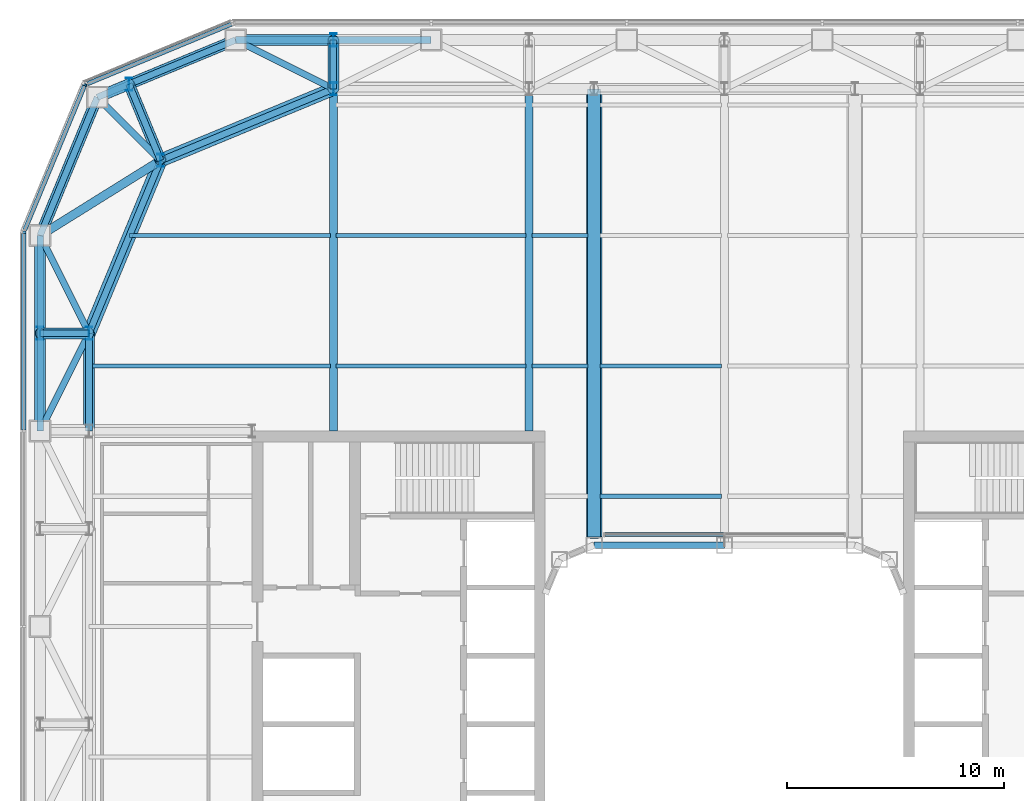
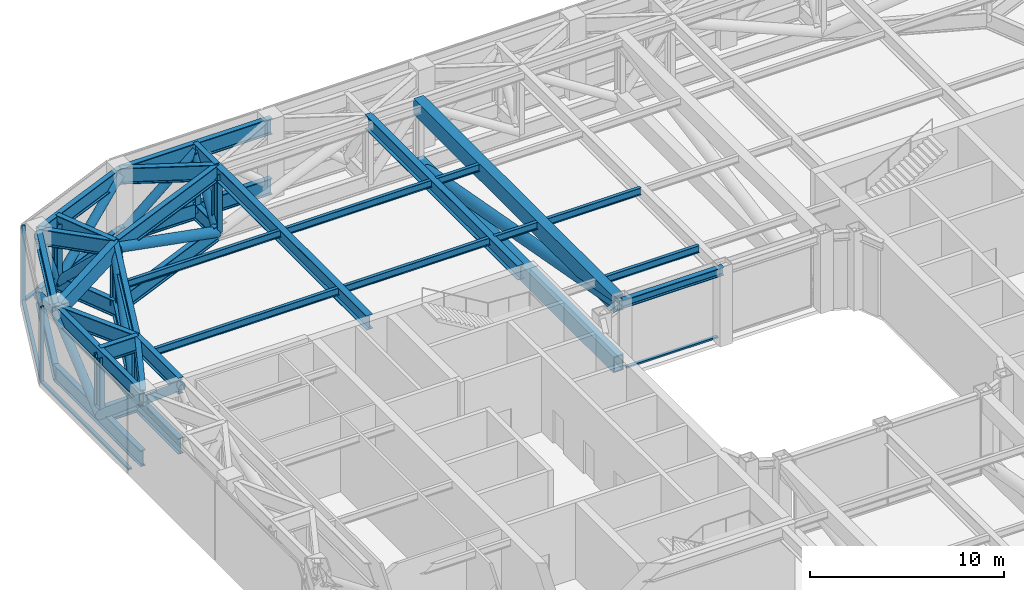
# One storey, part 9 of 33: 38 beams, 25 members, 4 elements without a shape of their own.
"""IFC4 building model written with IfcOpenShell, lengths in metres."""

from ifc_helpers import new_model, si_unit, direction, frame, origin, origin_2d, place, context, subcontext, project, spatial, rectangle, hollow_rectangle, hollow_circle, i_section, extrude, material, layer, layer_set, material_profile, profile_set, type_object, element, aggregate, save


model = new_model("IFC4")

# Units and contexts
model_context = context("Model", 3, precision=1e-05, world=origin(), true_north=direction((0.0, 1.0)))
body_context = subcontext(model_context, "Body", "Model", "MODEL_VIEW")
ifc_project = project(units=[si_unit("LENGTHUNIT", "METRE"), si_unit("AREAUNIT", "SQUARE_METRE"), si_unit("VOLUMEUNIT", "CUBIC_METRE"), si_unit("PLANEANGLEUNIT", "RADIAN"), si_unit("MASSUNIT", "GRAM", prefix="KILO")], contexts=[model_context])

# Site, building, storey
site_placement = place(None, origin())
site = spatial("IfcSite", under=ifc_project, at=site_placement, CompositionType="ELEMENT")
building_placement = place(site_placement, origin())
building = spatial("IfcBuilding", under=site, at=building_placement, Name="Siwar Civic Tower", CompositionType="ELEMENT")
storey_placement = place(building_placement, frame((0.0, 0.0, 94.199951171875)))
storey = spatial("IfcBuildingStorey", under=building, at=storey_placement, Name="L20", CompositionType="ELEMENT", Elevation=94.199951171875)

# Curtain wall, member
ifc_material_1 = material(Name="Aluminium and glass", Category="aluminium")
ifc_layer_1 = layer(ifc_material_1, 0.199951171875)
ifc_layer_set_1 = layer_set([ifc_layer_1], Name="Aluminium and glass")
curtain_wall_type_1 = type_object("IfcCurtainWallType", Name="ENV-CW-P", PredefinedType="NOTDEFINED", material=ifc_layer_set_1)
curtain_wall_1_placement = place(storey_placement, origin())
curtain_wall_1 = element("IfcCurtainWall", 1, at=curtain_wall_1_placement, inside=storey, type_object=curtain_wall_type_1, Name="Curtain wall P NW2", PredefinedType="NOTDEFINED")
ifc_material_2 = material(Name="Aluminium 6063-T6", Category="aluminium")
ifc_material_profile_1 = material_profile(ifc_material_2, rectangle(XDim=0.199951171875, YDim=0.10009765625, at=origin_2d()), Name="AL 200x100")
ifc_profile_set_1 = profile_set([ifc_material_profile_1], Name="Aluminium 6063-T6")
member_type_1 = type_object("IfcMemberType", Name="ENV-MULLION-P", PredefinedType="MULLION", material=ifc_profile_set_1)
member_1_placement = place(storey_placement, frame((-29.43798828125, 29.43798828125, 0.0), z_axis=(0.0, 0.0, 1.0), x_axis=(0.923879532511, -0.382683432365, 0.0)))
member_1 = element("IfcMember", 2, at=member_1_placement, type_object=member_type_1, Name="Mullion P NW2 1", PredefinedType="MULLION", context=body_context, shape_type="SweptSolid", body=[
    extrude(rectangle(XDim=0.199951171875, YDim=0.10009765625, at=origin_2d()), origin(), (0.0, 0.0, 1.0), 4.800048828125),
])

curtain_wall_2_placement = place(storey_placement, origin())
curtain_wall_2 = element("IfcCurtainWall", 3, at=curtain_wall_2_placement, inside=storey, type_object=curtain_wall_type_1, Name="Curtain wall P W", PredefinedType="NOTDEFINED")
member_2_placement = place(storey_placement, frame((-32.25, 22.649169921875, 0.0), z_axis=(0.0, 0.0, 1.0), x_axis=(1.0, 0.0, 0.0)))
member_2 = element("IfcMember", 4, at=member_2_placement, type_object=member_type_1, Name="Mullion P W 1", PredefinedType="MULLION", context=body_context, shape_type="SweptSolid", body=[
    extrude(rectangle(XDim=0.199951171875, YDim=0.10009765625, at=origin_2d()), origin(), (0.0, 0.0, 1.0), 4.800048828125),
])

curtain_wall_3_placement = place(storey_placement, origin())
curtain_wall_3 = element("IfcCurtainWall", 5, at=curtain_wall_3_placement, inside=storey, type_object=curtain_wall_type_1, Name="Curtain wall P NW1", PredefinedType="NOTDEFINED")
ifc_material_3 = material(Name="Aluminium 6063-T6", Category="aluminium")
ifc_material_profile_2 = material_profile(ifc_material_3, rectangle(XDim=0.199951171875, YDim=0.1201171875, at=origin_2d()), Name="AL 200x120")
ifc_profile_set_2 = profile_set([ifc_material_profile_2], Name="Aluminium 6063-T6")
member_type_2 = type_object("IfcMemberType", Name="ENV-TRANSOM-P", PredefinedType="USERDEFINED", material=ifc_profile_set_2)
member_3_placement = place(storey_placement, frame((-22.6953125, 32.23095703125, 0.06005859375), z_axis=(-0.923881582012, -0.382678484395, 0.0), x_axis=(0.382678484395, -0.923881582012, 0.0)))
member_3 = element("IfcMember", 6, at=member_3_placement, type_object=member_type_2, Name="Transom P NW1 1", ObjectType="TRANSOM", PredefinedType="USERDEFINED", context=body_context, shape_type="SweptSolid", body=[
    extrude(rectangle(XDim=0.199951171875, YDim=0.1201171875, at=origin_2d()), origin(), (0.0, 0.0, 1.0), 7.172119140625),
])
aggregate(curtain_wall_3, [member_3])

# Member
member_4_placement = place(storey_placement, frame((-29.45703125, 29.391845703125, 0.06005859375), z_axis=(-0.382678484395, -0.923881582012, 0.0), x_axis=(0.923881582012, -0.382678484395, 0.0)))
member_4 = element("IfcMember", 7, at=member_4_placement, type_object=member_type_2, Name="Transom P NW2 1", ObjectType="TRANSOM", PredefinedType="USERDEFINED", context=body_context, shape_type="SweptSolid", body=[
    extrude(rectangle(XDim=0.199951171875, YDim=0.1201171875, at=origin_2d()), origin(), (0.0, 0.0, 1.0), 7.172119140625),
])

aggregate(curtain_wall_1, [member_1, member_4])

member_5_placement = place(storey_placement, frame((-32.25, 22.59912109375, 0.06005859375), z_axis=(0.0, -1.0, 0.0), x_axis=(1.0, 0.0, 0.0)))
member_5 = element("IfcMember", 8, at=member_5_placement, type_object=member_type_2, Name="Transom P W 1", ObjectType="TRANSOM", PredefinedType="USERDEFINED", context=body_context, shape_type="SweptSolid", body=[
    extrude(rectangle(XDim=0.199951171875, YDim=0.1201171875, at=origin_2d()), origin(), (0.0, 0.0, 1.0), 9.049072265625),
])

aggregate(curtain_wall_2, [member_2, member_5])

# Curtain wall, member
ifc_material_4 = material(Name="Aluminium and glass", Category="aluminium")
ifc_layer_2 = layer(ifc_material_4, 0.179931640625)
ifc_layer_set_2 = layer_set([ifc_layer_2], Name="Aluminium and glass")
curtain_wall_type_2 = type_object("IfcCurtainWallType", Name="ENV-CW-W", PredefinedType="NOTDEFINED", material=ifc_layer_set_2)
curtain_wall_4_placement = place(storey_placement, origin())
curtain_wall_4 = element("IfcCurtainWall", 9, at=curtain_wall_4_placement, inside=storey, type_object=curtain_wall_type_2, Name="Curtain wall W WN-00", PredefinedType="NOTDEFINED")
ifc_material_5 = material(Name="Aluminium 6063-T6", Category="aluminium")
ifc_material_profile_3 = material_profile(ifc_material_5, rectangle(XDim=0.179931640625, YDim=0.10009765625, at=origin_2d()), Name="AL 180x100")
ifc_profile_set_3 = profile_set([ifc_material_profile_3], Name="Aluminium 6063-T6")
member_type_3 = type_object("IfcMemberType", Name="ENV-TRANSOM-W", PredefinedType="USERDEFINED", material=ifc_profile_set_3)
member_6_placement = place(storey_placement, frame((-0.030029296875, 8.735107421875, 0.050048828125), z_axis=(-1.0, 0.0, 0.0), x_axis=(0.0, -1.0, 0.0)))
member_6 = element("IfcMember", 10, at=member_6_placement, type_object=member_type_3, Name="Transom W WN-00 2", ObjectType="TRANSOM", PredefinedType="USERDEFINED", context=body_context, shape_type="SweptSolid", body=[
    extrude(rectangle(XDim=0.179931640625, YDim=0.10009765625, at=origin_2d()), origin(), (0.0, 0.0, 1.0), 5.474365234375),
])
aggregate(curtain_wall_4, [member_6])

# Beams
ifc_material_6 = material(Name="Steel S460", Category="steel")
ifc_material_profile_4 = material_profile(ifc_material_6, i_section(OverallWidth=0.302001953125, OverallDepth=1.008056640625, WebThickness=0.02099609375, FlangeThickness=0.0400390625, FilletRadius=0.030029296875, at=origin_2d()), Name="HEM1000")
ifc_profile_set_4 = profile_set([ifc_material_profile_4], Name="Steel S460")
beam_type_1 = type_object("IfcBeamType", Name="STR-BELT-TRUSS-CHORD-HEM1000", PredefinedType="BEAM", material=ifc_profile_set_4)
for number, where, z_axis, x_axis, name in (
    (11, (-18.0, 29.25, 0.504150390625), (-0.923872720536, -0.382699877515, 0.0), (0.382699877515, -0.923872720536, 0.0), "Belt truss chord"),
    (12, (-18.0, 29.25, 4.296142578125), (-0.923872720536, -0.382699877515, 0.0), (0.382699877515, -0.923872720536, 0.0), "Belt truss chord"),
    (13, (-25.954833984375, 25.954833984375, 0.504150390625), (-0.382699877515, -0.923872720536, 0.0), (0.923872720536, -0.382699877515, 0.0), "Belt truss chord"),
    (14, (-25.954833984375, 25.954833984375, 4.296142578125), (-0.382699877515, -0.923872720536, 0.0), (0.923872720536, -0.382699877515, 0.0), "Belt truss chord"),
):
    element("IfcBeam", number, at=place(storey_placement, frame(where, z_axis=z_axis, x_axis=x_axis)), inside=storey, type_object=beam_type_1, Name=name, PredefinedType="BEAM", context=body_context, shape_type="SweptSolid", body=[
        extrude(i_section(OverallWidth=0.302001953125, OverallDepth=1.008056640625, WebThickness=0.02099609375, FlangeThickness=0.0400390625, FilletRadius=0.030029296875, at=origin_2d()), origin(), (0.0, 0.0, 1.0), 8.6103515625),
    ])
for number, where, z_axis, x_axis, name in (
    (15, (-29.25, 18.0, 0.504150390625), (0.0, -1.0, 0.0), (1.0, 0.0, 0.0), "Belt truss chord"),
    (16, (-29.25, 18.0, 4.296142578125), (0.0, -1.0, 0.0), (1.0, 0.0, 0.0), "Belt truss chord"),
):
    element("IfcBeam", number, at=place(storey_placement, frame(where, z_axis=z_axis, x_axis=x_axis)), inside=storey, type_object=beam_type_1, Name=name, PredefinedType="BEAM", context=body_context, shape_type="SweptSolid", body=[
        extrude(i_section(OverallWidth=0.302001953125, OverallDepth=1.008056640625, WebThickness=0.02099609375, FlangeThickness=0.0400390625, FilletRadius=0.030029296875, at=origin_2d()), origin(), (0.0, 0.0, 1.0), 4.5),
    ])
for number, where, z_axis, x_axis, name in (
    (17, (-13.5, 31.5, 0.504150390625), (-1.0, 0.0, 0.0), (0.0, -1.0, 0.0), "Belt truss chord"),
    (18, (-13.5, 31.5, 4.296142578125), (-1.0, 0.0, 0.0), (0.0, -1.0, 0.0), "Belt truss chord"),
):
    element("IfcBeam", number, at=place(storey_placement, frame(where, z_axis=z_axis, x_axis=x_axis)), inside=storey, type_object=beam_type_1, Name=name, PredefinedType="BEAM", context=body_context, shape_type="SweptSolid", body=[
        extrude(i_section(OverallWidth=0.302001953125, OverallDepth=1.008056640625, WebThickness=0.02099609375, FlangeThickness=0.0400390625, FilletRadius=0.030029296875, at=origin_2d()), origin(), (0.0, 0.0, 1.0), 9.0),
    ])
for number, where, z_axis, x_axis, name in (
    (19, (-22.5, 31.5, 0.504150390625), (-0.923883353507, -0.382674207535, 0.0), (0.382674207535, -0.923883353507, 0.0), "Belt truss chord"),
    (20, (-22.5, 31.5, 4.296142578125), (-0.923883353507, -0.382674207535, 0.0), (0.382674207535, -0.923883353507, 0.0), "Belt truss chord"),
    (21, (-28.864013671875, 28.864013671875, 0.504150390625), (-0.382674207535, -0.923883353507, 0.0), (0.923883353507, -0.382674207535, 0.0), "Belt truss chord"),
    (22, (-28.864013671875, 28.864013671875, 4.296142578125), (-0.382674207535, -0.923883353507, 0.0), (0.923883353507, -0.382674207535, 0.0), "Belt truss chord"),
):
    element("IfcBeam", number, at=place(storey_placement, frame(where, z_axis=z_axis, x_axis=x_axis)), inside=storey, type_object=beam_type_1, Name=name, PredefinedType="BEAM", context=body_context, shape_type="SweptSolid", body=[
        extrude(i_section(OverallWidth=0.302001953125, OverallDepth=1.008056640625, WebThickness=0.02099609375, FlangeThickness=0.0400390625, FilletRadius=0.030029296875, at=origin_2d()), origin(), (0.0, 0.0, 1.0), 6.888427734375),
    ])
for number, where, z_axis, x_axis, name in (
    (23, (-31.5, 22.5, 0.504150390625), (0.0, -1.0, 0.0), (1.0, 0.0, 0.0), "Belt truss chord"),
    (24, (-31.5, 22.5, 4.296142578125), (0.0, -1.0, 0.0), (1.0, 0.0, 0.0), "Belt truss chord"),
):
    element("IfcBeam", number, at=place(storey_placement, frame(where, z_axis=z_axis, x_axis=x_axis)), inside=storey, type_object=beam_type_1, Name=name, PredefinedType="BEAM", context=body_context, shape_type="SweptSolid", body=[
        extrude(i_section(OverallWidth=0.302001953125, OverallDepth=1.008056640625, WebThickness=0.02099609375, FlangeThickness=0.0400390625, FilletRadius=0.030029296875, at=origin_2d()), origin(), (0.0, 0.0, 1.0), 9.0),
    ])

# Members
ifc_material_7 = material(Name="Steel S355", Category="steel")
ifc_material_profile_5 = material_profile(ifc_material_7, hollow_circle(Radius=0.25390625, WallThickness=0.02490234375, at=origin_2d()), Name="CHS508x25")
ifc_profile_set_5 = profile_set([ifc_material_profile_5], Name="Steel S355")
member_type_4 = type_object("IfcMemberType", Name="STR-BELT-TRUSS-DIAGONAL-CHS508x25", PredefinedType="BRACE", material=ifc_profile_set_5)
for number, where, z_axis, x_axis, name in (
    (25, (-29.25, 18.00390625, 0.500732421875), (0.0, -0.764699580999, 0.644386957364), (1.0, 0.0, 0.0), "Belt truss diagonal"),
    (26, (-22.50390625, 31.5, 0.500732421875), (0.764699580999, 0.0, 0.644386957364), (0.0, 1.0, 0.0), "Belt truss diagonal"),
):
    element("IfcMember", number, at=place(storey_placement, frame(where, z_axis=z_axis, x_axis=x_axis)), inside=storey, type_object=member_type_4, Name=name, PredefinedType="BRACE", context=body_context, shape_type="SweptSolid", body=[
        extrude(hollow_circle(Radius=0.25390625, WallThickness=0.02490234375, at=origin_2d()), origin(), (0.0, 0.0, 1.0), 5.894775390625),
    ])
member_7_placement = place(storey_placement, frame((-27.413330078125, 29.46484375, 0.501220703125), z_axis=(0.752038409319, 0.311494757226, 0.580869389045), x_axis=(-0.382673207131, 0.923883767876, 0.0)))
element("IfcMember", 27, at=member_7_placement, inside=storey, type_object=member_type_4, Name="Belt truss diagonal", PredefinedType="BRACE", context=body_context, shape_type="SweptSolid", body=[
    extrude(hollow_circle(Radius=0.25390625, WallThickness=0.02490234375, at=origin_2d()), origin(), (0.0, 0.0, 1.0), 6.538330078125),
])
member_8_placement = place(storey_placement, frame((-27.40771484375, 29.46728515625, 0.49951171875), z_axis=(-0.35424183321, -0.146750551802, 0.92356753903), x_axis=(0.382725237776, -0.923862215035, 0.0)))
element("IfcMember", 28, at=member_8_placement, inside=storey, type_object=member_type_4, Name="Belt truss diagonal", PredefinedType="BRACE", context=body_context, shape_type="SweptSolid", body=[
    extrude(hollow_circle(Radius=0.25390625, WallThickness=0.02490234375, at=origin_2d()), origin(), (0.0, 0.0, 1.0), 4.115966796875),
])
member_9_placement = place(storey_placement, frame((-28.8623046875, 28.867919921875, 0.501708984375), z_axis=(-0.335247560212, -0.80935725849, 0.48223428072), x_axis=(0.923879206846, -0.38268421859, 0.0)))
element("IfcMember", 29, at=member_9_placement, inside=storey, type_object=member_type_4, Name="Belt truss diagonal", PredefinedType="BRACE", context=body_context, shape_type="SweptSolid", body=[
    extrude(hollow_circle(Radius=0.25390625, WallThickness=0.02490234375, at=origin_2d()), origin(), (0.0, 0.0, 1.0), 7.873046875),
])
for number, where, z_axis, x_axis, name in (
    (30, (-31.5, 17.99609375, 0.500732421875), (0.0, 0.764699580999, 0.644386957364), (-1.0, 0.0, 0.0), "Belt truss diagonal"),
    (31, (-31.5, 18.00390625, 0.500732421875), (0.0, -0.764699580999, 0.644386957364), (1.0, 0.0, 0.0), "Belt truss diagonal"),
):
    element("IfcMember", number, at=place(storey_placement, frame(where, z_axis=z_axis, x_axis=x_axis)), inside=storey, type_object=member_type_4, Name=name, PredefinedType="BRACE", context=body_context, shape_type="SweptSolid", body=[
        extrude(hollow_circle(Radius=0.25390625, WallThickness=0.02490234375, at=origin_2d()), origin(), (0.0, 0.0, 1.0), 5.894775390625),
    ])
member_10_placement = place(storey_placement, frame((-18.0, 29.24755859375, 0.499755859375), z_axis=(0.0, 0.510256630496, 0.860022192176), x_axis=(-1.0, 0.0, 0.0)))
element("IfcMember", 32, at=member_10_placement, inside=storey, type_object=member_type_4, Name="Belt truss diagonal", PredefinedType="BRACE", context=body_context, shape_type="SweptSolid", body=[
    extrude(hollow_circle(Radius=0.25390625, WallThickness=0.02490234375, at=origin_2d()), origin(), (0.0, 0.0, 1.0), 4.419189453125),
])
member_11_placement = place(storey_placement, frame((-27.410888671875, 29.4697265625, 0.50048828125), z_axis=(0.270920550107, -0.654040061492, 0.706281568139), x_axis=(0.92387539413, 0.382693423148, 0.0)))
element("IfcMember", 33, at=member_11_placement, inside=storey, type_object=member_type_4, Name="Belt truss diagonal", PredefinedType="BRACE", context=body_context, shape_type="SweptSolid", body=[
    extrude(hollow_circle(Radius=0.25390625, WallThickness=0.02490234375, at=origin_2d()), origin(), (0.0, 0.0, 1.0), 5.37890625),
])
member_12_placement = place(storey_placement, frame((-29.24755859375, 18.0, 0.499755859375), z_axis=(-0.510256630496, 0.0, 0.860022192176), x_axis=(0.0, -1.0, 0.0)))
element("IfcMember", 34, at=member_12_placement, inside=storey, type_object=member_type_4, Name="Belt truss diagonal", PredefinedType="BRACE", context=body_context, shape_type="SweptSolid", body=[
    extrude(hollow_circle(Radius=0.25390625, WallThickness=0.02490234375, at=origin_2d()), origin(), (0.0, 0.0, 1.0), 4.419189453125),
])
ifc_material_8 = material(Name="Steel S355", Category="steel")
ifc_material_profile_6 = material_profile(ifc_material_8, hollow_circle(Radius=0.304931640625, WallThickness=0.030029296875, at=origin_2d()), Name="CHS610x30")
ifc_profile_set_6 = profile_set([ifc_material_profile_6], Name="Steel S355")
member_type_5 = type_object("IfcMemberType", Name="STR-BELT-TRUSS-DIAGONAL-CHS610x30", PredefinedType="BRACE", material=ifc_profile_set_6)
for number, where, z_axis, x_axis, name in (
    (35, (-17.995849609375, 29.251708984375, 0.501953125), (-0.845510540146, -0.350226651172, 0.403054858935), (0.382687832972, -0.923877709708, 0.0), "Belt truss diagonal"),
    (36, (-29.251708984375, 17.995849609375, 0.501953125), (0.350226651172, 0.845510540146, 0.403054858935), (-0.923877709708, 0.382687832972, 0.0), "Belt truss diagonal"),
):
    element("IfcMember", number, at=place(storey_placement, frame(where, z_axis=z_axis, x_axis=x_axis)), inside=storey, type_object=member_type_5, Name=name, PredefinedType="BRACE", context=body_context, shape_type="SweptSolid", body=[
        extrude(hollow_circle(Radius=0.304931640625, WallThickness=0.030029296875, at=origin_2d()), origin(), (0.0, 0.0, 1.0), 9.41845703125),
    ])

# Beams
ifc_material_9 = material(Name="Steel S460", Category="steel")
ifc_material_profile_7 = material_profile(ifc_material_9, i_section(OverallWidth=0.302001953125, OverallDepth=1.008056640625, WebThickness=0.02099609375, FlangeThickness=0.0400390625, FilletRadius=0.030029296875, at=origin_2d()), Name="HEM1000")
ifc_profile_set_7 = profile_set([ifc_material_profile_7], Name="Steel S460")
beam_type_2 = type_object("IfcBeamType", Name="STR-BELT-TRUSS-LADDER-CHORD-HEM1000", PredefinedType="BEAM", material=ifc_profile_set_7)
for number, where, z_axis, x_axis, name in (
    (37, (-18.0, 29.25, 0.504150390625), (0.0, 1.0, 0.0), (-1.0, 0.0, 0.0), "Belt truss ladder chord"),
    (38, (-18.0, 29.25, 4.296142578125), (0.0, 1.0, 0.0), (-1.0, 0.0, 0.0), "Belt truss ladder chord"),
):
    element("IfcBeam", number, at=place(storey_placement, frame(where, z_axis=z_axis, x_axis=x_axis)), inside=storey, type_object=beam_type_2, Name=name, PredefinedType="BEAM", context=body_context, shape_type="SweptSolid", body=[
        extrude(i_section(OverallWidth=0.302001953125, OverallDepth=1.008056640625, WebThickness=0.02099609375, FlangeThickness=0.0400390625, FilletRadius=0.030029296875, at=origin_2d()), origin(), (0.0, 0.0, 1.0), 2.25),
    ])
for number, where, z_axis, x_axis, name in (
    (39, (-25.954833984375, 25.954833984375, 0.504150390625), (-0.382680807349, 0.923880619824, 0.0), (-0.923880619824, -0.382680807349, 0.0), "Belt truss ladder chord"),
    (40, (-25.954833984375, 25.954833984375, 4.296142578125), (-0.382680807349, 0.923880619824, 0.0), (-0.923880619824, -0.382680807349, 0.0), "Belt truss ladder chord"),
):
    element("IfcBeam", number, at=place(storey_placement, frame(where, z_axis=z_axis, x_axis=x_axis)), inside=storey, type_object=beam_type_2, Name=name, PredefinedType="BEAM", context=body_context, shape_type="SweptSolid", body=[
        extrude(i_section(OverallWidth=0.302001953125, OverallDepth=1.008056640625, WebThickness=0.02099609375, FlangeThickness=0.0400390625, FilletRadius=0.030029296875, at=origin_2d()), origin(), (0.0, 0.0, 1.0), 3.801025390625),
    ])
for number, where, z_axis, x_axis, name in (
    (41, (-29.25, 18.0, 0.504150390625), (-1.0, 0.0, 0.0), (0.0, -1.0, 0.0), "Belt truss ladder chord"),
    (42, (-29.25, 18.0, 4.296142578125), (-1.0, 0.0, 0.0), (0.0, -1.0, 0.0), "Belt truss ladder chord"),
):
    element("IfcBeam", number, at=place(storey_placement, frame(where, z_axis=z_axis, x_axis=x_axis)), inside=storey, type_object=beam_type_2, Name=name, PredefinedType="BEAM", context=body_context, shape_type="SweptSolid", body=[
        extrude(i_section(OverallWidth=0.302001953125, OverallDepth=1.008056640625, WebThickness=0.02099609375, FlangeThickness=0.0400390625, FilletRadius=0.030029296875, at=origin_2d()), origin(), (0.0, 0.0, 1.0), 2.25),
    ])

# Members
ifc_material_10 = material(Name="Steel S355", Category="steel")
ifc_material_profile_8 = material_profile(ifc_material_10, i_section(OverallWidth=0.300048828125, OverallDepth=0.60009765625, WebThickness=0.015380859375, FlangeThickness=0.030029296875, FilletRadius=0.027099609375, at=origin_2d()), Name="HEB600")
ifc_profile_set_8 = profile_set([ifc_material_profile_8], Name="Steel S355")
member_type_6 = type_object("IfcMemberType", Name="STR-BELT-TRUSS-POST-HEB600", PredefinedType="POST", material=ifc_profile_set_8)
for number, where, z_axis, x_axis, name in (
    (43, (-31.5, 18.0, 0.504150390625), (0.0, 0.0, 1.0), (1.0, 0.0, 0.0), "Belt truss post"),
    (44, (-29.25, 18.0, 0.504150390625), (0.0, 0.0, 1.0), (1.0, 0.0, 0.0), "Belt truss post"),
    (45, (-27.409423828125, 29.466552734375, 0.504150390625), (0.0, 0.0, 1.0), (1.0, 0.0, 0.0), "Belt truss post"),
    (46, (-25.954833984375, 25.954833984375, 0.504150390625), (0.0, 0.0, 1.0), (1.0, 0.0, 0.0), "Belt truss post"),
    (47, (-18.0, 29.25, 0.504150390625), (0.0, 0.0, 1.0), (1.0, 0.0, 0.0), "Belt truss post"),
    (48, (-18.0, 31.5, 0.504150390625), (0.0, 0.0, 1.0), (1.0, 0.0, 0.0), "Belt truss post"),
):
    element("IfcMember", number, at=place(storey_placement, frame(where, z_axis=z_axis, x_axis=x_axis)), inside=storey, type_object=member_type_6, Name=name, PredefinedType="POST", context=body_context, shape_type="SweptSolid", body=[
        extrude(i_section(OverallWidth=0.300048828125, OverallDepth=0.60009765625, WebThickness=0.015380859375, FlangeThickness=0.030029296875, FilletRadius=0.027099609375, at=origin_2d()), origin(), (0.0, 0.0, 1.0), 3.7919921875),
    ])

# Beams
ifc_material_11 = material(Name="Steel S355", Category="steel")
ifc_material_profile_9 = material_profile(ifc_material_11, i_section(OverallWidth=0.18994140625, OverallDepth=0.449951171875, WebThickness=0.009521484375, FlangeThickness=0.0146484375, FilletRadius=0.02099609375, at=origin_2d()), Name="IPE450")
ifc_profile_set_9 = profile_set([ifc_material_profile_9], Name="Steel S355")
beam_type_3 = type_object("IfcBeamType", Name="STR-FB-IPE450", PredefinedType="JOIST", material=ifc_profile_set_9)
beam_1_placement = place(storey_placement, frame((-5.719970703125, 10.5, 4.574951171875), z_axis=(1.0, 0.0, 0.0), x_axis=(0.0, 1.0, 0.0)))
element("IfcBeam", 49, at=beam_1_placement, inside=storey, type_object=beam_type_3, Name="L20/bm/F033", PredefinedType="JOIST", context=body_context, shape_type="SweptSolid", body=[
    extrude(i_section(OverallWidth=0.18994140625, OverallDepth=0.449951171875, WebThickness=0.009521484375, FlangeThickness=0.0146484375, FilletRadius=0.02099609375, at=origin_2d()), origin(), (0.0, 0.0, 1.0), 5.590087890625),
])
beam_2_placement = place(storey_placement, frame((-29.25, 16.5, 4.574951171875), z_axis=(1.0, 0.0, 0.0), x_axis=(0.0, 1.0, 0.0)))
element("IfcBeam", 50, at=beam_2_placement, inside=storey, type_object=beam_type_3, Name="L20/bm/F037", PredefinedType="JOIST", context=body_context, shape_type="SweptSolid", body=[
    extrude(i_section(OverallWidth=0.18994140625, OverallDepth=0.449951171875, WebThickness=0.009521484375, FlangeThickness=0.0146484375, FilletRadius=0.02099609375, at=origin_2d()), origin(), (0.0, 0.0, 1.0), 11.1201171875),
])
beam_3_placement = place(storey_placement, frame((-17.8701171875, 16.5, 4.574951171875), z_axis=(1.0, 0.0, 0.0), x_axis=(0.0, 1.0, 0.0)))
element("IfcBeam", 51, at=beam_3_placement, inside=storey, type_object=beam_type_3, Name="L20/bm/F038", PredefinedType="JOIST", context=body_context, shape_type="SweptSolid", body=[
    extrude(i_section(OverallWidth=0.18994140625, OverallDepth=0.449951171875, WebThickness=0.009521484375, FlangeThickness=0.0146484375, FilletRadius=0.02099609375, at=origin_2d()), origin(), (0.0, 0.0, 1.0), 8.740234375),
])
beam_4_placement = place(storey_placement, frame((-8.8701171875, 16.5, 4.574951171875), z_axis=(1.0, 0.0, 0.0), x_axis=(0.0, 1.0, 0.0)))
element("IfcBeam", 52, at=beam_4_placement, inside=storey, type_object=beam_type_3, Name="L20/bm/F039", PredefinedType="JOIST", context=body_context, shape_type="SweptSolid", body=[
    extrude(i_section(OverallWidth=0.18994140625, OverallDepth=0.449951171875, WebThickness=0.009521484375, FlangeThickness=0.0146484375, FilletRadius=0.02099609375, at=origin_2d()), origin(), (0.0, 0.0, 1.0), 2.590087890625),
])
beam_5_placement = place(storey_placement, frame((-5.719970703125, 16.5, 4.574951171875), z_axis=(1.0, 0.0, 0.0), x_axis=(0.0, 1.0, 0.0)))
element("IfcBeam", 53, at=beam_5_placement, inside=storey, type_object=beam_type_3, Name="L20/bm/F040", PredefinedType="JOIST", context=body_context, shape_type="SweptSolid", body=[
    extrude(i_section(OverallWidth=0.18994140625, OverallDepth=0.449951171875, WebThickness=0.009521484375, FlangeThickness=0.0146484375, FilletRadius=0.02099609375, at=origin_2d()), origin(), (0.0, 0.0, 1.0), 5.590087890625),
])
beam_6_placement = place(storey_placement, frame((-27.385986328125, 22.5, 4.574951171875), z_axis=(1.0, 0.0, 0.0), x_axis=(0.0, 1.0, 0.0)))
element("IfcBeam", 54, at=beam_6_placement, inside=storey, type_object=beam_type_3, Name="L20/bm/F045", PredefinedType="JOIST", context=body_context, shape_type="SweptSolid", body=[
    extrude(i_section(OverallWidth=0.18994140625, OverallDepth=0.449951171875, WebThickness=0.009521484375, FlangeThickness=0.0146484375, FilletRadius=0.02099609375, at=origin_2d()), origin(), (0.0, 0.0, 1.0), 9.256103515625),
])
beam_7_placement = place(storey_placement, frame((-17.8701171875, 22.5, 4.574951171875), z_axis=(1.0, 0.0, 0.0), x_axis=(0.0, 1.0, 0.0)))
element("IfcBeam", 55, at=beam_7_placement, inside=storey, type_object=beam_type_3, Name="L20/bm/F046", PredefinedType="JOIST", context=body_context, shape_type="SweptSolid", body=[
    extrude(i_section(OverallWidth=0.18994140625, OverallDepth=0.449951171875, WebThickness=0.009521484375, FlangeThickness=0.0146484375, FilletRadius=0.02099609375, at=origin_2d()), origin(), (0.0, 0.0, 1.0), 8.740234375),
])
beam_8_placement = place(storey_placement, frame((-8.8701171875, 22.5, 4.574951171875), z_axis=(1.0, 0.0, 0.0), x_axis=(0.0, 1.0, 0.0)))
element("IfcBeam", 56, at=beam_8_placement, inside=storey, type_object=beam_type_3, Name="L20/bm/F047", PredefinedType="JOIST", context=body_context, shape_type="SweptSolid", body=[
    extrude(i_section(OverallWidth=0.18994140625, OverallDepth=0.449951171875, WebThickness=0.009521484375, FlangeThickness=0.0146484375, FilletRadius=0.02099609375, at=origin_2d()), origin(), (0.0, 0.0, 1.0), 2.590087890625),
])
ifc_material_12 = material(Name="Steel S460", Category="steel")
ifc_material_profile_10 = material_profile(ifc_material_12, hollow_rectangle(XDim=0.60009765625, YDim=1.008056640625, WallThickness=0.06005859375, at=origin_2d()), Name="BOX1008x600x60")
ifc_profile_set_10 = profile_set([ifc_material_profile_10], Name="Steel S460")
beam_type_4 = type_object("IfcBeamType", Name="STR-OUTRIGGER-TRUSS-CHORD-BOX1008x600x60", PredefinedType="BEAM", material=ifc_profile_set_10)
for number, where, z_axis, x_axis, name in (
    (57, (-6.0, 29.25, 0.504150390625), (0.0, -1.0, 0.0), (1.0, 0.0, 0.0), "Outrigger truss chord"),
    (58, (-6.0, 29.25, 4.296142578125), (0.0, -1.0, 0.0), (1.0, 0.0, 0.0), "Outrigger truss chord"),
):
    element("IfcBeam", number, at=place(storey_placement, frame(where, z_axis=z_axis, x_axis=x_axis)), inside=storey, type_object=beam_type_4, Name=name, PredefinedType="BEAM", context=body_context, shape_type="SweptSolid", body=[
        extrude(hollow_rectangle(XDim=0.60009765625, YDim=1.008056640625, WallThickness=0.06005859375, at=origin_2d()), origin(), (0.0, 0.0, 1.0), 20.625),
    ])

# Member
ifc_material_13 = material(Name="Steel S355", Category="steel")
ifc_material_profile_11 = material_profile(ifc_material_13, hollow_circle(Radius=0.35546875, WallThickness=0.0400390625, at=origin_2d()), Name="CHS711x40")
ifc_profile_set_11 = profile_set([ifc_material_profile_11], Name="Steel S355")
member_type_7 = type_object("IfcMemberType", Name="STR-OUTRIGGER-TRUSS-DIAGONAL-CHS711x40", PredefinedType="BRACE", material=ifc_profile_set_11)
member_13_placement = place(storey_placement, frame((-6.0, 29.2548828125, 0.503173828125), z_axis=(0.0, -0.983516307221, 0.18081944981), x_axis=(1.0, 0.0, 0.0)))
element("IfcMember", 59, at=member_13_placement, inside=storey, type_object=member_type_7, Name="Outrigger truss diagonal", PredefinedType="BRACE", context=body_context, shape_type="SweptSolid", body=[
    extrude(hollow_circle(Radius=0.35546875, WallThickness=0.0400390625, at=origin_2d()), origin(), (0.0, 0.0, 1.0), 20.980712890625),
])

# Beams
ifc_material_14 = material(Name="Steel S355", Category="steel")
ifc_material_profile_12 = material_profile(ifc_material_14, i_section(OverallWidth=0.3798828125, OverallDepth=0.89990234375, WebThickness=0.01611328125, FlangeThickness=0.035888671875, at=origin_2d()), Name="PG900x380x16x36")
ifc_profile_set_12 = profile_set([ifc_material_profile_12], Name="Steel S355")
beam_type_5 = type_object("IfcBeamType", Name="STR-PG-PG900x380x16x36", PredefinedType="BEAM", material=ifc_profile_set_12)
for number, where, z_axis, x_axis, name in (
    (60, (-18.0, 13.5, 4.35009765625), (0.0, 1.0, 0.0), (-1.0, 0.0, 0.0), "L20/bm/G02"),
    (61, (-9.0, 13.5, 4.35009765625), (0.0, 1.0, 0.0), (-1.0, 0.0, 0.0), "L20/bm/G04"),
):
    element("IfcBeam", number, at=place(storey_placement, frame(where, z_axis=z_axis, x_axis=x_axis)), inside=storey, type_object=beam_type_5, Name=name, PredefinedType="BEAM", context=body_context, shape_type="SweptSolid", body=[
        extrude(i_section(OverallWidth=0.3798828125, OverallDepth=0.89990234375, WebThickness=0.01611328125, FlangeThickness=0.035888671875, at=origin_2d()), origin(), (0.0, 0.0, 1.0), 15.75),
    ])
ifc_material_15 = material(Name="Steel S355", Category="steel")
ifc_material_profile_13 = material_profile(ifc_material_15, i_section(OverallWidth=0.305908203125, OverallDepth=0.52392578125, WebThickness=0.02099609375, FlangeThickness=0.0400390625, FilletRadius=0.027099609375, at=origin_2d()), Name="HEM500")
ifc_profile_set_13 = profile_set([ifc_material_profile_13], Name="Steel S355")
beam_type_6 = type_object("IfcBeamType", Name="STR-RB-HEM500", PredefinedType="BEAM", material=ifc_profile_set_13)
beam_9_placement = place(storey_placement, frame((-6.0, 8.25, 4.5380859375), z_axis=(1.0, 0.0, 0.0), x_axis=(0.0, 1.0, 0.0)))
element("IfcBeam", 62, at=beam_9_placement, inside=storey, type_object=beam_type_6, Name="L20/bm/RN1", PredefinedType="BEAM", context=body_context, shape_type="SweptSolid", body=[
    extrude(i_section(OverallWidth=0.305908203125, OverallDepth=0.52392578125, WebThickness=0.02099609375, FlangeThickness=0.0400390625, FilletRadius=0.027099609375, at=origin_2d()), origin(), (0.0, 0.0, 1.0), 6.0),
])
ifc_material_16 = material(Name="Steel S460", Category="steel")
ifc_material_profile_14 = material_profile(ifc_material_16, hollow_rectangle(XDim=0.39990234375, YDim=1.008056640625, WallThickness=0.0400390625, at=origin_2d()), Name="BOX1008x400x40")
ifc_profile_set_14 = profile_set([ifc_material_profile_14], Name="Steel S460")
beam_type_7 = type_object("IfcBeamType", Name="STR-TRANSFER-GIRDER-BOX1008x400x40", PredefinedType="BEAM", material=ifc_profile_set_14)
beam_10_placement = place(storey_placement, frame((-25.954833984375, 25.954833984375, 4.296142578125), z_axis=(-0.848746922137, -0.528799264525, 0.0), x_axis=(0.528799264525, -0.848746922137, 0.0)))
element("IfcBeam", 63, at=beam_10_placement, inside=storey, type_object=beam_type_7, Name="Transfer girder", PredefinedType="BEAM", context=body_context, shape_type="SweptSolid", body=[
    extrude(hollow_rectangle(XDim=0.39990234375, YDim=1.008056640625, WallThickness=0.0400390625, at=origin_2d()), origin(), (0.0, 0.0, 1.0), 6.533447265625),
])
ifc_material_17 = material(Name="Steel S460", Category="steel")
ifc_material_profile_15 = material_profile(ifc_material_17, i_section(OverallWidth=0.302001953125, OverallDepth=1.008056640625, WebThickness=0.02099609375, FlangeThickness=0.0400390625, FilletRadius=0.030029296875, at=origin_2d()), Name="HEM1000")
ifc_profile_set_15 = profile_set([ifc_material_profile_15], Name="Steel S460")
beam_type_8 = type_object("IfcBeamType", Name="STR-TRANSFER-GIRDER-HEM1000", PredefinedType="BEAM", material=ifc_profile_set_15)
beam_11_placement = place(storey_placement, frame((-18.0, 29.25, 4.296142578125), z_axis=(-0.894427191, 0.4472135955, 0.0), x_axis=(-0.4472135955, -0.894427191, 0.0)))
element("IfcBeam", 64, at=beam_11_placement, inside=storey, type_object=beam_type_8, Name="Transfer girder", PredefinedType="BEAM", context=body_context, shape_type="SweptSolid", body=[
    extrude(i_section(OverallWidth=0.302001953125, OverallDepth=1.008056640625, WebThickness=0.02099609375, FlangeThickness=0.0400390625, FilletRadius=0.030029296875, at=origin_2d()), origin(), (0.0, 0.0, 1.0), 5.03125),
])
beam_12_placement = place(storey_placement, frame((-25.954833984375, 25.954833984375, 4.296142578125), z_axis=(-0.707106781187, 0.707106781187, 0.0), x_axis=(-0.707106781187, -0.707106781187, 0.0)))
element("IfcBeam", 65, at=beam_12_placement, inside=storey, type_object=beam_type_8, Name="Transfer girder", PredefinedType="BEAM", context=body_context, shape_type="SweptSolid", body=[
    extrude(i_section(OverallWidth=0.302001953125, OverallDepth=1.008056640625, WebThickness=0.02099609375, FlangeThickness=0.0400390625, FilletRadius=0.030029296875, at=origin_2d()), origin(), (0.0, 0.0, 1.0), 4.1142578125),
])
for number, where, z_axis, x_axis, name in (
    (66, (-29.25, 18.0, 4.296142578125), (-0.4472135955, -0.894427191, 0.0), (0.894427191, -0.4472135955, 0.0), "Transfer girder"),
    (67, (-29.25, 18.0, 4.296142578125), (-0.4472135955, 0.894427191, 0.0), (-0.894427191, -0.4472135955, 0.0), "Transfer girder"),
):
    element("IfcBeam", number, at=place(storey_placement, frame(where, z_axis=z_axis, x_axis=x_axis)), inside=storey, type_object=beam_type_8, Name=name, PredefinedType="BEAM", context=body_context, shape_type="SweptSolid", body=[
        extrude(i_section(OverallWidth=0.302001953125, OverallDepth=1.008056640625, WebThickness=0.02099609375, FlangeThickness=0.0400390625, FilletRadius=0.030029296875, at=origin_2d()), origin(), (0.0, 0.0, 1.0), 5.03125),
    ])

save(model, "model.ifc")
